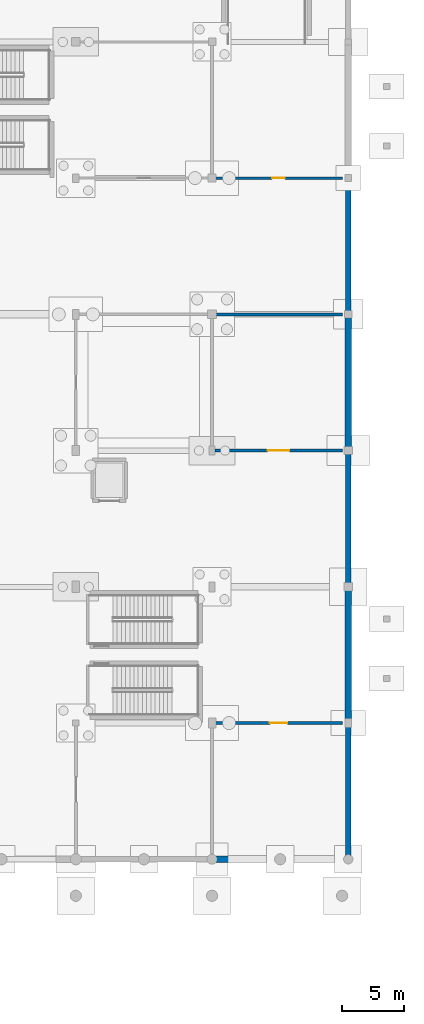
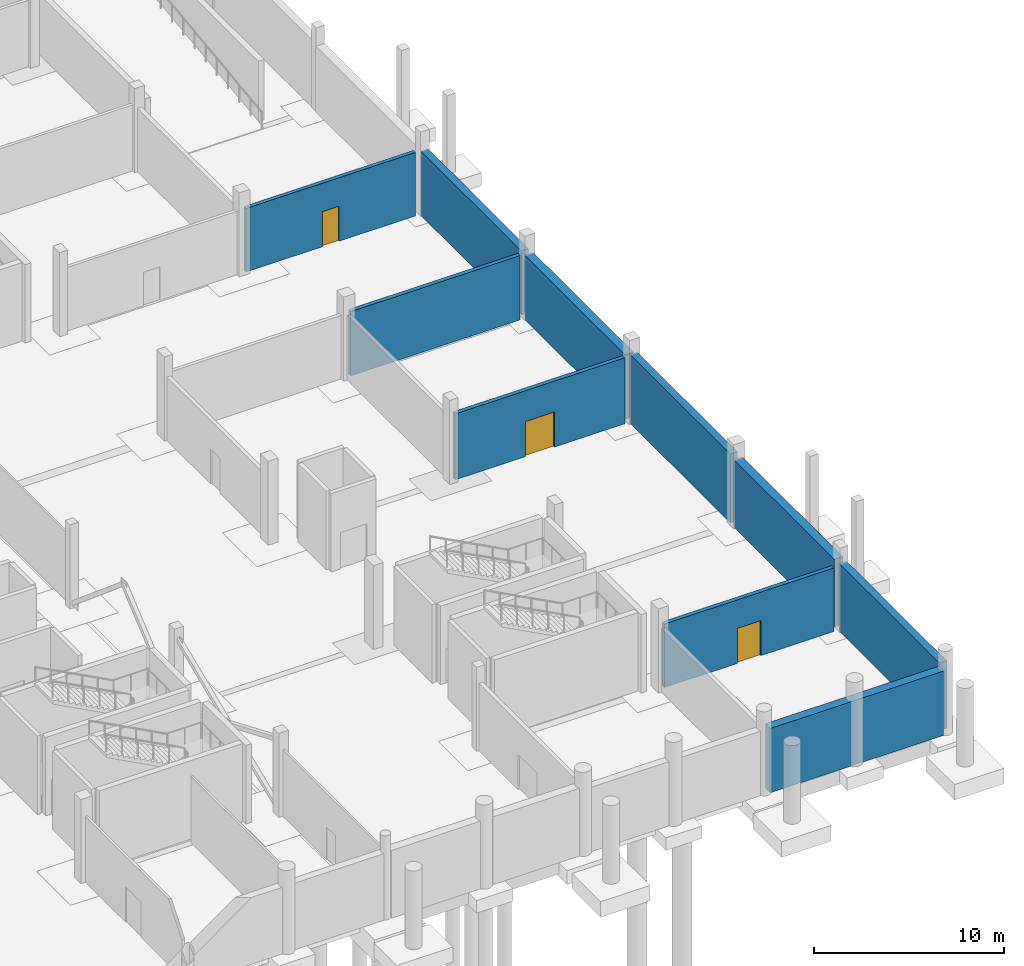
# One storey, part 38 of 60: 10 walls, 3 doors, 3 openings.
"""IFC4 building model written with IfcOpenShell, lengths in metres."""

from ifc_helpers import new_model, si_unit, direction, frame, frame_2d, origin, place, context, subcontext, project, spatial, rectangle, extrude, material, layer, layer_set, type_object, element, fill, save


model = new_model("IFC4")

# Units and contexts
model_context = context("Model", 3, precision=1e-05, world=origin(), true_north=direction((0.0, 1.0)))
body_context = subcontext(model_context, "Body", "Model", "MODEL_VIEW")
ifc_project = project(units=[si_unit("LENGTHUNIT", "METRE"), si_unit("AREAUNIT", "SQUARE_METRE"), si_unit("VOLUMEUNIT", "CUBIC_METRE"), si_unit("PLANEANGLEUNIT", "RADIAN"), si_unit("MASSUNIT", "GRAM", prefix="KILO")], contexts=[model_context])

# Site, building, storey
site_placement = place(None, origin())
site = spatial("IfcSite", under=ifc_project, at=site_placement, CompositionType="ELEMENT")
building_placement = place(site_placement, origin())
building = spatial("IfcBuilding", under=site, at=building_placement, Name="Luwafu Chhajja Arena", CompositionType="ELEMENT")
storey_placement = place(building_placement, frame((0.0, 0.0, -5.39990234375)))
storey = spatial("IfcBuildingStorey", under=building, at=storey_placement, Name="B1", CompositionType="ELEMENT", Elevation=-5.39990234375)

# Wall, opening, door
ifc_material_1 = material(Name="Concrete blockwork masonry", Category="masonry")
ifc_layer_1 = layer(ifc_material_1, 0.239990234375, Name="Concrete blockwork masonry")
ifc_layer_set_1 = layer_set([ifc_layer_1], Name="Concrete blockwork masonry")
wall_type_1 = type_object("IfcWallType", Name="Compartment Masonry Partition 240", PredefinedType="PARTITIONING", material=ifc_layer_set_1)
wall_1_placement = place(storey_placement, frame((187.219970703125, 11.0, 0.0), z_axis=(0.0, 0.0, 1.0), x_axis=(1.0, 0.0, 0.0)))
wall_1 = element("IfcWall", 1, at=wall_1_placement, inside=storey, type_object=wall_type_1, Name="B1 Internal Partition 0094", PredefinedType="PARTITIONING", context=body_context, shape_type="SweptSolid", body=[
    extrude(rectangle(XDim=10.300048828125, YDim=0.239990234375, at=frame_2d((5.14990234375, 0.0))), origin(), (0.0, 0.0, 1.0), 4.079833984375),
])
opening_1_placement = place(wall_1_placement, frame((4.43994140625, 0.0, 0.0)))
opening_1 = element("IfcOpeningElement", 2, at=opening_1_placement, cuts=wall_1, Name="Opening DR-12", PredefinedType="OPENING", context=body_context, shape_type="SweptSolid", body=[
    extrude(rectangle(XDim=1.419921875, YDim=2.25, at=frame_2d((0.7099609375, 1.125))), frame((0.0, 0.1298828125, 0.0), z_axis=(0.0, -1.0, 0.0), x_axis=(1.0, 0.0, 0.0)), (0.0, 0.0, 1.0), 0.260009765625),
])
ifc_material_2 = material(Name="Powder-coated steel fire leaf", Category="steel")
door_type_1 = type_object("IfcDoorType", Name="DR-12", OperationType="NOTDEFINED", PredefinedType="DOOR", material=ifc_material_2)
door_1_placement = place(opening_1_placement, origin())
door_1 = element("IfcDoor", 3, at=door_1_placement, inside=storey, type_object=door_type_1, Name="B1 Interior Door B1-D071", OperationType="SINGLE_SWING_RIGHT", OverallHeight=2.25, OverallWidth=1.419921875, PredefinedType="DOOR", context=body_context, shape_type="SweptSolid", body=[
    extrude(rectangle(XDim=1.419921875, YDim=2.25, at=frame_2d((0.7099609375, 1.125))), frame((0.0, 0.02490234375, 0.0), z_axis=(0.0, -1.0, 0.0), x_axis=(1.0, 0.0, 0.0)), (0.0, 0.0, 1.0), 0.050048828125),
])
fill(opening_1, door_1)

wall_2_placement = place(storey_placement, frame((187.219970703125, 33.0, 0.0), z_axis=(0.0, 0.0, 1.0), x_axis=(1.0, 0.0, 0.0)))
wall_2 = element("IfcWall", 4, at=wall_2_placement, inside=storey, type_object=wall_type_1, Name="B1 Internal Partition 0095", PredefinedType="PARTITIONING", context=body_context, shape_type="SweptSolid", body=[
    extrude(rectangle(XDim=10.300048828125, YDim=0.239990234375, at=frame_2d((5.14990234375, 0.0))), origin(), (0.0, 0.0, 1.0), 4.22998046875),
])
opening_2_placement = place(wall_2_placement, frame((4.27490234375, 0.0, 0.0)))
opening_2 = element("IfcOpeningElement", 5, at=opening_2_placement, cuts=wall_2, Name="Opening DR-09", PredefinedType="OPENING", context=body_context, shape_type="SweptSolid", body=[
    extrude(rectangle(XDim=1.75, YDim=2.25, at=frame_2d((0.875, 1.125))), frame((0.0, 0.1298828125, 0.0), z_axis=(0.0, -1.0, 0.0), x_axis=(1.0, 0.0, 0.0)), (0.0, 0.0, 1.0), 0.260009765625),
])
door_type_2 = type_object("IfcDoorType", Name="DR-09", OperationType="DOUBLE_DOOR_SINGLE_SWING", PredefinedType="DOOR", material=ifc_material_2)
door_2_placement = place(opening_2_placement, origin())
door_2 = element("IfcDoor", 6, at=door_2_placement, inside=storey, type_object=door_type_2, Name="B1 Interior Door B1-D072", OperationType="DOUBLE_DOOR_SINGLE_SWING", OverallHeight=2.25, OverallWidth=1.75, PredefinedType="DOOR", context=body_context, shape_type="SweptSolid", body=[
    extrude(rectangle(XDim=1.75, YDim=2.25, at=frame_2d((0.875, 1.125))), frame((0.0, 0.02490234375, 0.0), z_axis=(0.0, -1.0, 0.0), x_axis=(1.0, 0.0, 0.0)), (0.0, 0.0, 1.0), 0.050048828125),
])
fill(opening_2, door_2)

# Wall
wall_3_placement = place(storey_placement, frame((187.219970703125, 44.0, 0.0), z_axis=(0.0, 0.0, 1.0), x_axis=(1.0, 0.0, 0.0)))
element("IfcWall", 7, at=wall_3_placement, inside=storey, type_object=wall_type_1, Name="B1 Internal Partition 0096", PredefinedType="PARTITIONING", context=body_context, shape_type="SweptSolid", body=[
    extrude(rectangle(XDim=10.300048828125, YDim=0.239990234375, at=frame_2d((5.14990234375, 0.0))), origin(), (0.0, 0.0, 1.0), 4.1298828125),
])

# Wall, opening, door
ifc_layer_2 = layer(ifc_material_1, 0.219970703125, Name="Concrete blockwork masonry")
ifc_layer_set_2 = layer_set([ifc_layer_2], Name="Concrete blockwork masonry")
wall_type_2 = type_object("IfcWallType", Name="Protected Corridor Partition 220", PredefinedType="PARTITIONING", material=ifc_layer_set_2)
wall_4_placement = place(storey_placement, frame((187.219970703125, 55.0, 0.0), z_axis=(0.0, 0.0, 1.0), x_axis=(1.0, 0.0, 0.0)))
wall_4 = element("IfcWall", 8, at=wall_4_placement, inside=storey, type_object=wall_type_2, Name="B1 Internal Partition 0097", PredefinedType="PARTITIONING", context=body_context, shape_type="SweptSolid", body=[
    extrude(rectangle(XDim=10.300048828125, YDim=0.219970703125, at=frame_2d((5.14990234375, 0.0))), origin(), (0.0, 0.0, 1.0), 4.079833984375),
])
opening_3_placement = place(wall_4_placement, frame((4.639892578125, 0.0, 0.0)))
opening_3 = element("IfcOpeningElement", 9, at=opening_3_placement, cuts=wall_4, Name="Opening DR-13", PredefinedType="OPENING", context=body_context, shape_type="SweptSolid", body=[
    extrude(rectangle(XDim=1.02001953125, YDim=2.25, at=frame_2d((0.510009765625, 1.125))), frame((0.0, 0.119873046875, 0.0), z_axis=(0.0, -1.0, 0.0), x_axis=(1.0, 0.0, 0.0)), (0.0, 0.0, 1.0), 0.239990234375),
])
ifc_material_3 = material(Name="Veneered hardwood acoustic leaf", Category="wood")
door_type_3 = type_object("IfcDoorType", Name="DR-13", OperationType="NOTDEFINED", PredefinedType="DOOR", material=ifc_material_3)
door_3_placement = place(opening_3_placement, origin())
door_3 = element("IfcDoor", 10, at=door_3_placement, inside=storey, type_object=door_type_3, Name="B1 Interior Door B1-D073", OperationType="SINGLE_SWING_LEFT", OverallHeight=2.25, OverallWidth=1.02001953125, PredefinedType="DOOR", context=body_context, shape_type="SweptSolid", body=[
    extrude(rectangle(XDim=1.02001953125, YDim=2.25, at=frame_2d((0.510009765625, 1.125))), frame((0.0, 0.02490234375, 0.0), z_axis=(0.0, -1.0, 0.0), x_axis=(1.0, 0.0, 0.0)), (0.0, 0.0, 1.0), 0.050048828125),
])
fill(opening_3, door_3)

# Walls
ifc_material_4 = material(Name="Concrete C40/50", Category="concrete")
ifc_layer_3 = layer(ifc_material_4, 0.43994140625, Name="Concrete C40/50")
ifc_layer_set_3 = layer_set([ifc_layer_3], Name="Concrete C40/50")
wall_type_3 = type_object("IfcWallType", Name="RC Basement Retaining Wall 440", PredefinedType="SOLIDWALL", material=ifc_layer_set_3)
wall_5_placement = place(storey_placement, frame((198.0, 0.219970703125, 0.0), z_axis=(0.0, 0.0, 1.0), x_axis=(0.0, 1.0, 0.0)))
element("IfcWall", 11, at=wall_5_placement, inside=storey, type_object=wall_type_3, Name="B1 Exterior Wall WEX-B1-041", PredefinedType="SOLIDWALL", context=body_context, shape_type="SweptSolid", body=[
    extrude(rectangle(XDim=10.56005859375, YDim=0.43994140625, at=frame_2d((5.280029296875, 0.0))), origin(), (0.0, 0.0, 1.0), 4.346435546875),
])
wall_6_placement = place(storey_placement, frame((198.0, 22.219970703125, 0.0), z_axis=(0.0, 0.0, 1.0), x_axis=(0.0, 1.0, 0.0)))
element("IfcWall", 12, at=wall_6_placement, inside=storey, type_object=wall_type_3, Name="B1 Exterior Wall WEX-B1-043", PredefinedType="SOLIDWALL", context=body_context, shape_type="SweptSolid", body=[
    extrude(rectangle(XDim=10.56005859375, YDim=0.43994140625, at=frame_2d((5.280029296875, 0.0))), origin(), (0.0, 0.0, 1.0), 4.417724609375),
])
wall_7_placement = place(storey_placement, frame((198.0, 44.219970703125, 0.0), z_axis=(0.0, 0.0, 1.0), x_axis=(0.0, 1.0, 0.0)))
element("IfcWall", 13, at=wall_7_placement, inside=storey, type_object=wall_type_3, Name="B1 Exterior Wall WEX-B1-045", PredefinedType="SOLIDWALL", context=body_context, shape_type="SweptSolid", body=[
    extrude(rectangle(XDim=10.56005859375, YDim=0.43994140625, at=frame_2d((5.280029296875, 0.0))), origin(), (0.0, 0.0, 1.0), 4.1298828125),
])
ifc_layer_4 = layer(ifc_material_4, 0.52001953125, Name="Concrete C40/50")
ifc_layer_set_4 = layer_set([ifc_layer_4], Name="Concrete C40/50")
wall_type_4 = type_object("IfcWallType", Name="RC Basement Retaining Wall 520", PredefinedType="SOLIDWALL", material=ifc_layer_set_4)
wall_8_placement = place(storey_placement, frame((187.219970703125, 0.0, 0.0), z_axis=(0.0, 0.0, 1.0), x_axis=(1.0, 0.0, 0.0)))
element("IfcWall", 14, at=wall_8_placement, inside=storey, type_object=wall_type_4, Name="B1 Exterior Wall WEX-B1-040", PredefinedType="SOLIDWALL", context=body_context, shape_type="SweptSolid", body=[
    extrude(rectangle(XDim=10.56005859375, YDim=0.52001953125, at=frame_2d((5.280029296875, 0.0))), origin(), (0.0, 0.0, 1.0), 4.1298828125),
])
wall_9_placement = place(storey_placement, frame((198.0, 11.219970703125, 0.0), z_axis=(0.0, 0.0, 1.0), x_axis=(0.0, 1.0, 0.0)))
element("IfcWall", 15, at=wall_9_placement, inside=storey, type_object=wall_type_4, Name="B1 Exterior Wall WEX-B1-042", PredefinedType="SOLIDWALL", context=body_context, shape_type="SweptSolid", body=[
    extrude(rectangle(XDim=10.56005859375, YDim=0.52001953125, at=frame_2d((5.280029296875, 0.0))), origin(), (0.0, 0.0, 1.0), 4.346435546875),
])
wall_10_placement = place(storey_placement, frame((198.0, 33.219970703125, 0.0), z_axis=(0.0, 0.0, 1.0), x_axis=(0.0, 1.0, 0.0)))
element("IfcWall", 16, at=wall_10_placement, inside=storey, type_object=wall_type_4, Name="B1 Exterior Wall WEX-B1-044", PredefinedType="SOLIDWALL", context=body_context, shape_type="SweptSolid", body=[
    extrude(rectangle(XDim=10.56005859375, YDim=0.52001953125, at=frame_2d((5.280029296875, 0.0))), origin(), (0.0, 0.0, 1.0), 4.1298828125),
])

save(model, "model.ifc")
